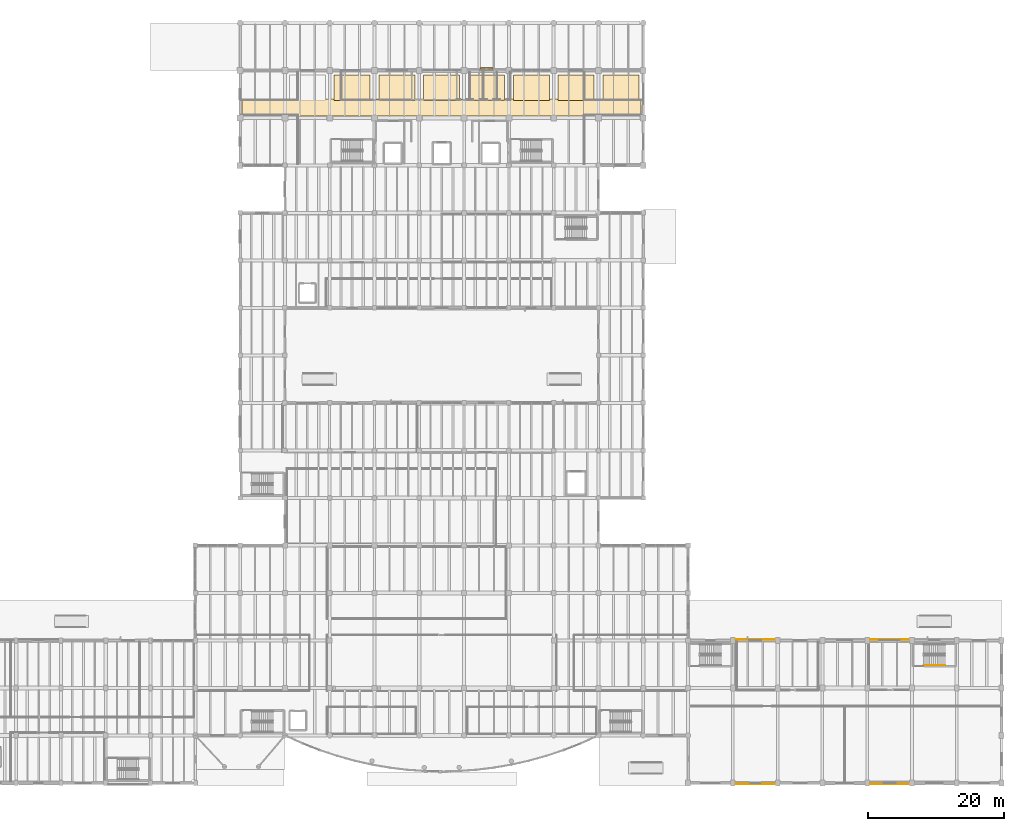
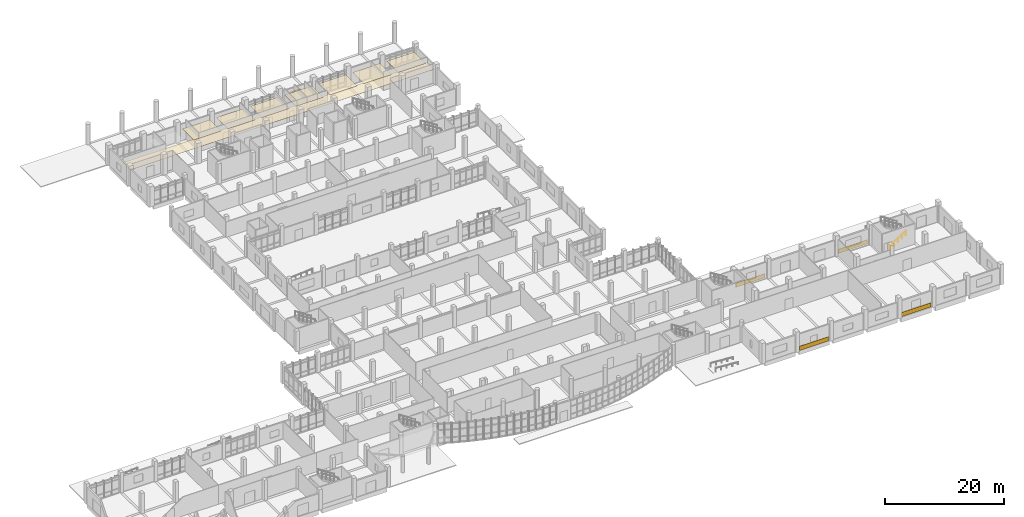
# One storey, part 67 of 69: 12 coverings, 1 railing, 1 shading device.
"""IFC4 building model written with IfcOpenShell, lengths in metres."""

from ifc_helpers import new_model, si_unit, direction, frame, origin, origin_2d, place, context, subcontext, project, spatial, polyline, rectangle, circle, outline, extrude, material, layer, layer_set, material_profile, profile_set, type_object, element, save


model = new_model("IFC4")

# Units and contexts
model_context = context("Model", 3, precision=1e-05, world=origin(), true_north=direction((0.0, 1.0)))
body_context = subcontext(model_context, "Body", "Model", "MODEL_VIEW")
ifc_project = project(units=[si_unit("LENGTHUNIT", "METRE"), si_unit("AREAUNIT", "SQUARE_METRE"), si_unit("VOLUMEUNIT", "CUBIC_METRE"), si_unit("PLANEANGLEUNIT", "RADIAN"), si_unit("MASSUNIT", "GRAM", prefix="KILO")], contexts=[model_context])

# Site, building, storey
site_placement = place(None, origin())
site = spatial("IfcSite", under=ifc_project, at=site_placement, CompositionType="ELEMENT")
building_placement = place(site_placement, origin())
building = spatial("IfcBuilding", under=site, at=building_placement, Name="Ciguamira Faculty of Natural Sciences", CompositionType="ELEMENT")
storey_placement = place(building_placement, origin())
storey = spatial("IfcBuildingStorey", under=building, at=storey_placement, Name="L00", CompositionType="ELEMENT", Elevation=0.0)

# Coverings
ifc_material_1 = material(Name="Perforated white acoustic ceiling")
ifc_layer_1 = layer(ifc_material_1, 0.0400390625, Name="Perforated white acoustic ceiling")
ifc_layer_set_1 = layer_set([ifc_layer_1], Name="Perforated white acoustic ceiling")
covering_type_1 = type_object("IfcCoveringType", Name="AcousticCeiling_AC01", PredefinedType="CEILING", material=ifc_layer_set_1)
covering_1_placement = place(storey_placement, frame((0.0, 0.0, 2.760009765625)))
element("IfcCovering", 1, at=covering_1_placement, inside=storey, type_object=covering_type_1, Name="L00 corridor acoustic ceiling", PredefinedType="CEILING", context=body_context, shape_type="SweptSolid", body=[
    extrude(outline(polyline([(57.60009765625, 101.300048828125), (116.39990234375, 101.300048828125), (116.39990234375, 103.800048828125), (57.60009765625, 103.800048828125), (57.60009765625, 101.300048828125)])), origin(), (0.0, 0.0, 1.0), 0.0400390625),
])
covering_2_placement = place(storey_placement, frame((0.0, 0.0, 2.760009765625)))
element("IfcCovering", 2, at=covering_2_placement, inside=storey, type_object=covering_type_1, Name="L00 research bay 02 acoustic ceiling", PredefinedType="CEILING", context=body_context, shape_type="SweptSolid", body=[
    extrude(outline(polyline([(71.14990234375, 103.550048828125), (76.449951171875, 103.550048828125), (76.449951171875, 107.35009765625), (71.14990234375, 107.35009765625), (71.14990234375, 103.550048828125)])), origin(), (0.0, 0.0, 1.0), 0.0400390625),
])
covering_3_placement = place(storey_placement, frame((0.0, 0.0, 2.760009765625)))
element("IfcCovering", 3, at=covering_3_placement, inside=storey, type_object=covering_type_1, Name="L00 research bay 03 acoustic ceiling", PredefinedType="CEILING", context=body_context, shape_type="SweptSolid", body=[
    extrude(outline(polyline([(77.75, 103.550048828125), (83.050048828125, 103.550048828125), (83.050048828125, 107.35009765625), (77.75, 107.35009765625), (77.75, 103.550048828125)])), origin(), (0.0, 0.0, 1.0), 0.0400390625),
])
covering_4_placement = place(storey_placement, frame((0.0, 0.0, 2.760009765625)))
element("IfcCovering", 4, at=covering_4_placement, inside=storey, type_object=covering_type_1, Name="L00 research bay 04 acoustic ceiling", PredefinedType="CEILING", context=body_context, shape_type="SweptSolid", body=[
    extrude(outline(polyline([(84.35009765625, 103.550048828125), (89.64990234375, 103.550048828125), (89.64990234375, 107.35009765625), (84.35009765625, 107.35009765625), (84.35009765625, 103.550048828125)])), origin(), (0.0, 0.0, 1.0), 0.0400390625),
])
covering_5_placement = place(storey_placement, frame((0.0, 0.0, 2.760009765625)))
element("IfcCovering", 5, at=covering_5_placement, inside=storey, type_object=covering_type_1, Name="L00 research bay 05 acoustic ceiling", PredefinedType="CEILING", context=body_context, shape_type="SweptSolid", body=[
    extrude(outline(polyline([(90.949951171875, 103.550048828125), (96.25, 103.550048828125), (96.25, 107.35009765625), (90.949951171875, 107.35009765625), (90.949951171875, 103.550048828125)])), origin(), (0.0, 0.0, 1.0), 0.0400390625),
])
covering_6_placement = place(storey_placement, frame((0.0, 0.0, 2.760009765625)))
element("IfcCovering", 6, at=covering_6_placement, inside=storey, type_object=covering_type_1, Name="L00 research bay 06 acoustic ceiling", PredefinedType="CEILING", context=body_context, shape_type="SweptSolid", body=[
    extrude(outline(polyline([(97.550048828125, 103.550048828125), (102.85009765625, 103.550048828125), (102.85009765625, 107.35009765625), (97.550048828125, 107.35009765625), (97.550048828125, 103.550048828125)])), origin(), (0.0, 0.0, 1.0), 0.0400390625),
])
covering_7_placement = place(storey_placement, frame((0.0, 0.0, 2.760009765625)))
element("IfcCovering", 7, at=covering_7_placement, inside=storey, type_object=covering_type_1, Name="L00 research bay 07 acoustic ceiling", PredefinedType="CEILING", context=body_context, shape_type="SweptSolid", body=[
    extrude(outline(polyline([(104.14990234375, 103.550048828125), (109.449951171875, 103.550048828125), (109.449951171875, 107.35009765625), (104.14990234375, 107.35009765625), (104.14990234375, 103.550048828125)])), origin(), (0.0, 0.0, 1.0), 0.0400390625),
])
covering_8_placement = place(storey_placement, frame((0.0, 0.0, 2.760009765625)))
element("IfcCovering", 8, at=covering_8_placement, inside=storey, type_object=covering_type_1, Name="L00 research bay 08 acoustic ceiling", PredefinedType="CEILING", context=body_context, shape_type="SweptSolid", body=[
    extrude(outline(polyline([(110.75, 103.550048828125), (116.050048828125, 103.550048828125), (116.050048828125, 107.35009765625), (110.75, 107.35009765625), (110.75, 103.550048828125)])), origin(), (0.0, 0.0, 1.0), 0.0400390625),
])
ifc_material_2 = material(Name="Precast concrete C40/50", Category="concrete")
ifc_layer_2 = layer(ifc_material_2, 0.050048828125, Name="Precast concrete C40/50")
ifc_layer_set_2 = layer_set([ifc_layer_2], Name="Precast concrete C40/50")
covering_type_2 = type_object("IfcCoveringType", Name="Cladding_CL01", PredefinedType="CLADDING", material=ifc_layer_set_2)
for number, where, z_axis, x_axis, name in (
    (9, (133.199951171875, 2.8359375, 0.02490234375), (0.0, 0.0, 1.0), (1.0, 0.0, 0.0), "L00 precast concrete spandrel cladding 003"),
    (10, (153.0, 2.8359375, 0.02490234375), (0.0, 0.0, 1.0), (1.0, 0.0, 0.0), "L00 precast concrete spandrel cladding 004"),
    (11, (133.199951171875, 24.1640625, 0.02490234375), (0.0, 0.0, 1.0), (1.0, 0.0, 0.0), "L00 precast concrete spandrel cladding 006"),
    (12, (153.0, 24.1640625, 0.02490234375), (0.0, 0.0, 1.0), (1.0, 0.0, 0.0), "L00 precast concrete spandrel cladding 007"),
):
    element("IfcCovering", number, at=place(storey_placement, frame(where, z_axis=z_axis, x_axis=x_axis)), inside=storey, type_object=covering_type_2, Name=name, PredefinedType="CLADDING", context=body_context, shape_type="SweptSolid", body=[
        extrude(rectangle(XDim=5.699951171875, YDim=0.050048828125, at=origin_2d()), origin(), (0.0, 0.0, 1.0), 0.85009765625),
    ])

# Railing
ifc_material_3 = material(Name="Stainless steel handrail", Category="steel")
railing_type = type_object("IfcRailingType", Name="Handrail_HR01", PredefinedType="HANDRAIL", material=ifc_material_3)
railing_placement = place(storey_placement, frame((158.06005859375, 20.35009765625, 0.35009765625)))
element("IfcRailing", 13, at=railing_placement, inside=storey, type_object=railing_type, Name="L00 ST-L2 stair handrail 1", PredefinedType="HANDRAIL", context=body_context, shape_type="SweptSolid", body=[
    extrude(circle(Radius=0.02392578125, at=origin_2d()), frame((0.0, 0.0, 0.89111328125), z_axis=(0.848009633417, 0.0, 0.529980812513), x_axis=(0.0, 1.0, 0.0)), (0.0, 0.0, 1.0), 3.6318359375),
    extrude(circle(Radius=0.02099609375, at=origin_2d()), origin(), (0.0, 0.0, 1.0), 0.866943359375),
    extrude(circle(Radius=0.02099609375, at=origin_2d()), frame((0.77001953125, 0.0, 0.481201171875)), (0.0, 0.0, 1.0), 0.866943359375),
    extrude(circle(Radius=0.02099609375, at=origin_2d()), frame((1.5400390625, 0.0, 0.96240234375)), (0.0, 0.0, 1.0), 0.866943359375),
    extrude(circle(Radius=0.02099609375, at=origin_2d()), frame((2.309814453125, 0.0, 1.443603515625)), (0.0, 0.0, 1.0), 0.866943359375),
    extrude(circle(Radius=0.02099609375, at=origin_2d()), frame((3.079833984375, 0.0, 1.9248046875)), (0.0, 0.0, 1.0), 0.866943359375),
])

# Shading device
ifc_material_4 = material(Name="Anodized bronze storm jalousie")
ifc_material_profile = material_profile(ifc_material_4, rectangle(XDim=0.239990234375, YDim=0.050048828125, at=origin_2d()), Name="BRZ-LVR-50X240")
ifc_profile_set = profile_set([ifc_material_profile], Name="Anodized bronze storm jalousie")
shading_device_type = type_object("IfcShadingDeviceType", Name="StormLouvre_SL01", PredefinedType="JALOUSIE", material=ifc_profile_set)
shading_device_placement = place(storey_placement, frame((92.64990234375, 108.239990234375, 2.14990234375), z_axis=(1.0, 0.0, 0.0), x_axis=(0.0, 1.0, 0.0)))
element("IfcShadingDevice", 14, at=shading_device_placement, inside=storey, type_object=shading_device_type, Name="L00 hurricane storm jalousie louvre 0009", PredefinedType="JALOUSIE", context=body_context, shape_type="SweptSolid", body=[
    extrude(rectangle(XDim=0.239990234375, YDim=0.050048828125, at=origin_2d()), origin(), (0.0, 0.0, 1.0), 1.900146484375),
])

save(model, "model.ifc")
